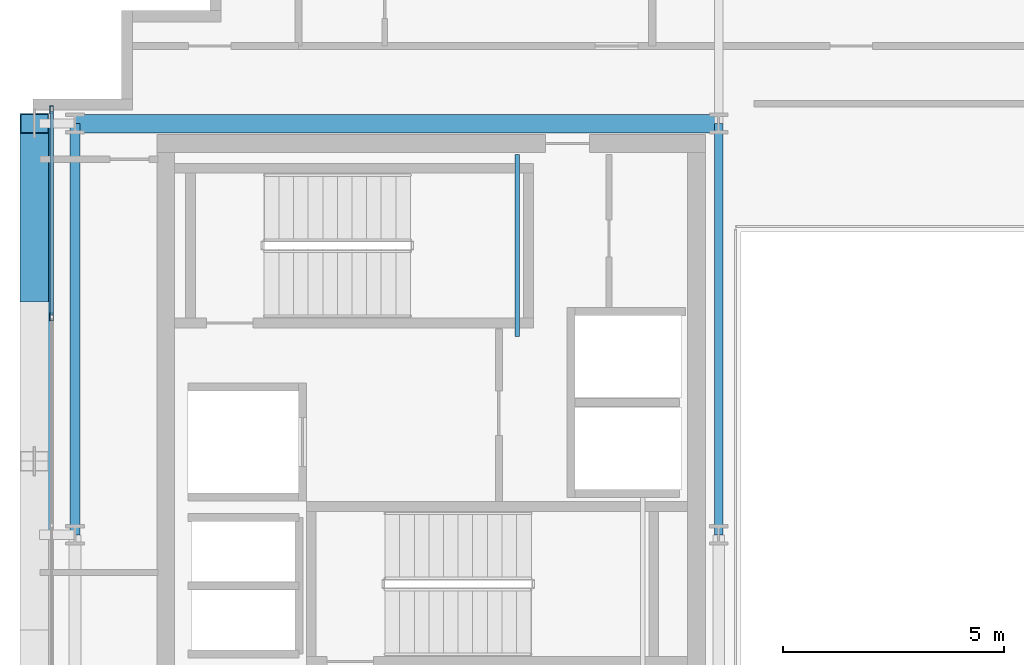
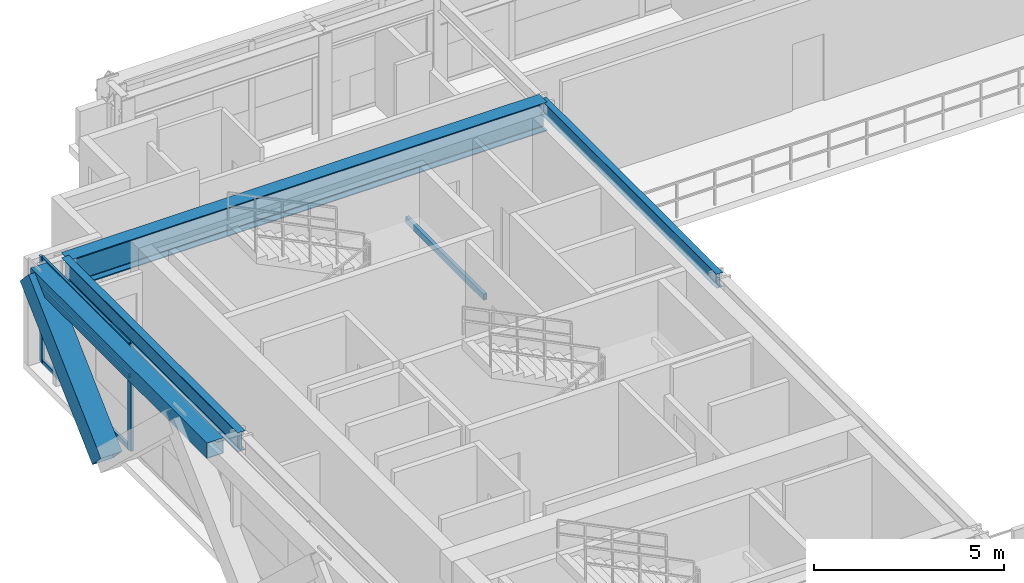
# One storey, part 7 of 27: 6 members, 5 beams, 1 element without a shape of its own.
"""IFC4 building model written with IfcOpenShell, lengths in metres."""

import ifcopenshell
import ifcopenshell.guid

model = None  # the IFC model being written
_history = None  # IfcOwnerHistory: only IFC2X3 demands one
_inside = {}  # id of a spatial element -> (the spatial element, [elements in it])
_under = {}  # id of a project, library or spatial element -> (it, [spatial elements below it])
_declared = {}  # id of a project -> (the project, [libraries it declares])
_typed = {}  # id of a type object -> (the type object, [elements of that type])
_made_of = {}  # id of a material, layer set ... -> (it, [elements and type objects made of it])


def new_model(schema):
    """Start an empty IFC model of exactly this schema.

    Asked for "IFC4X3", IfcOpenShell would pick the latest addendum, in which some entities
    have other attributes; the version numbers below select the first issue.
    IFC2X3 requires an IfcOwnerHistory on every rooted entity: one is made here for all.
    """
    global model, _history
    if schema == "IFC4X3":
        model = ifcopenshell.file(schema_version=(4, 3, 0, 0))
    else:
        model = ifcopenshell.file(schema=schema)
    _inside.clear()
    _under.clear()
    _declared.clear()
    _typed.clear()
    _made_of.clear()
    _history = None
    if model.schema == "IFC2X3":
        org = make("IfcOrganization", Name="unknown")
        user = make(
            "IfcPersonAndOrganization",
            ThePerson=make("IfcPerson", FamilyName="unknown"),
            TheOrganization=org,
        )
        app = make(
            "IfcApplication",
            ApplicationDeveloper=org,
            Version="unknown",
            ApplicationFullName="unknown",
            ApplicationIdentifier="unknown",
        )
        _history = make(
            "IfcOwnerHistory",
            OwningUser=user,
            OwningApplication=app,
            ChangeAction="ADDED",
            CreationDate=0,
        )
    return model


def make(cls, **values):
    """One entity of the class cls with the attributes given. An attribute that is None is left unset."""
    return model.create_entity(
        cls, **{name: value for name, value in values.items() if value is not None}
    )


def rooted(cls, **values):
    """An entity with a GlobalId (a new one), such as an element, a storey or a relation."""
    return make(cls, GlobalId=ifcopenshell.guid.new(), OwnerHistory=_history, **values)


def si_unit(unit_type, name, prefix=None):
    """IfcSIUnit, for example si_unit("LENGTHUNIT", "METRE", prefix="MILLI")."""
    return make("IfcSIUnit", UnitType=unit_type, Prefix=prefix, Name=name)


def assignment(units):
    """IfcUnitAssignment: the units of a project."""
    return None if units is None else make("IfcUnitAssignment", Units=units)


def point(xyz):
    """IfcCartesianPoint."""
    return None if xyz is None else make("IfcCartesianPoint", Coordinates=xyz)


def direction(xyz):
    """IfcDirection."""
    return None if xyz is None else make("IfcDirection", DirectionRatios=xyz)


def frame(location, z_axis=None, x_axis=None):
    """IfcAxis2Placement3D, a coordinate frame: its origin and axes. An axis left out is left unset."""
    return make(
        "IfcAxis2Placement3D",
        Location=point(location),
        Axis=direction(z_axis),
        RefDirection=direction(x_axis),
    )


def frame_2d(location, x_axis=None):
    """IfcAxis2Placement2D, a coordinate frame in the plane: its origin and x axis."""
    return make(
        "IfcAxis2Placement2D", Location=point(location), RefDirection=direction(x_axis)
    )


def origin():
    """The frame at (0, 0, 0) with its axes left unset."""
    return frame((0.0, 0.0, 0.0))


def origin_2d():
    """The frame at (0, 0) in the plane with its x axis left unset."""
    return frame_2d((0.0, 0.0))


def place(relative_to, where):
    """IfcLocalPlacement: puts the frame where relative to a parent placement (None: the world)."""
    return make(
        "IfcLocalPlacement", PlacementRelTo=relative_to, RelativePlacement=where
    )


def context(
    kind, dimensions, precision=None, world=None, true_north=None, identifier=None
):
    """IfcGeometricRepresentationContext, for example the 3D "Model" context."""
    return make(
        "IfcGeometricRepresentationContext",
        ContextIdentifier=identifier,
        ContextType=kind,
        CoordinateSpaceDimension=dimensions,
        Precision=precision,
        WorldCoordinateSystem=world,
        TrueNorth=true_north,
    )


def subcontext(parent, identifier, kind, view, scale=None):
    """IfcGeometricRepresentationSubContext, for example "Body" below "Model"."""
    return make(
        "IfcGeometricRepresentationSubContext",
        ContextIdentifier=identifier,
        ContextType=kind,
        ParentContext=parent,
        TargetScale=scale,
        TargetView=view,
    )


def project(units=None, contexts=None):
    """IfcProject with its units and contexts."""
    return rooted(
        "IfcProject",
        Name="project",
        RepresentationContexts=contexts,
        UnitsInContext=assignment(units),
    )


def spatial(cls, under=None, at=None, **own):
    """A site, building, storey or space (cls), placed at a placement, below another one or the project."""
    s = rooted(cls, ObjectPlacement=at, **own)
    if under is not None:
        _under.setdefault(under.id(), (under, []))[1].append(s)
    return s


def profile(cls, at=None, kind="AREA", **sizes):
    """A parametric profile (cls). Its sizes go by their IFC names, for example OverallWidth=200.0."""
    return make(cls, ProfileType=kind, Position=at, **sizes)


def hollow_rectangle(**sizes):
    """IfcRectangleHollowProfileDef."""
    return profile("IfcRectangleHollowProfileDef", **sizes)


def i_section(**sizes):
    """IfcIShapeProfileDef."""
    return profile("IfcIShapeProfileDef", **sizes)


def extrude(swept, where, along, depth):
    """IfcExtrudedAreaSolid: the profile swept, set in the frame where, extruded along a direction by depth."""
    return make(
        "IfcExtrudedAreaSolid",
        SweptArea=swept,
        Position=where,
        ExtrudedDirection=direction(along),
        Depth=depth,
    )


def shape(context_of_items, identifier, shape_type, items):
    """IfcShapeRepresentation: the items that make up one representation, for example the "Body"."""
    return make(
        "IfcShapeRepresentation",
        ContextOfItems=context_of_items,
        RepresentationIdentifier=identifier,
        RepresentationType=shape_type,
        Items=items,
    )


def source(mapping_origin, context_of_items, identifier, shape_type, items):
    """IfcRepresentationMap: a shape defined once, which mapped items show again and again."""
    return make(
        "IfcRepresentationMap",
        MappingOrigin=mapping_origin,
        MappedRepresentation=shape(context_of_items, identifier, shape_type, items),
    )


def transform(
    local_origin,
    x_axis=None,
    y_axis=None,
    z_axis=None,
    scale=None,
    scale2=None,
    scale3=None,
    uniform=True,
):
    """IfcCartesianTransformationOperator3D, or its non-uniform kind. x_axis, y_axis, z_axis: its Axis1, 2, 3."""
    if uniform:
        return make(
            "IfcCartesianTransformationOperator3D",
            Axis1=direction(x_axis),
            Axis2=direction(y_axis),
            LocalOrigin=point(local_origin),
            Scale=scale,
            Axis3=direction(z_axis),
        )
    return make(
        "IfcCartesianTransformationOperator3DnonUniform",
        Axis1=direction(x_axis),
        Axis2=direction(y_axis),
        LocalOrigin=point(local_origin),
        Scale=scale,
        Axis3=direction(z_axis),
        Scale2=scale2,
        Scale3=scale3,
    )


def mapped(mapping_source, mapping_target):
    """IfcMappedItem: shows the shape of a source again, moved by a transform."""
    return make(
        "IfcMappedItem", MappingSource=mapping_source, MappingTarget=mapping_target
    )


def material(Name=None, Category=None):
    """IfcMaterial."""
    return make("IfcMaterial", Name=Name, Category=Category)


def layer(
    of_material, thickness, ventilated=None, Name=None, Category=None, Priority=None
):
    """IfcMaterialLayer: one layer of a wall or slab, of a material (None: an air gap)."""
    return make(
        "IfcMaterialLayer",
        Material=of_material,
        LayerThickness=thickness,
        IsVentilated=ventilated,
        Name=Name,
        Category=Category,
        Priority=Priority,
    )


def layer_set(layers, Name=None):
    """IfcMaterialLayerSet."""
    return make("IfcMaterialLayerSet", MaterialLayers=layers, LayerSetName=Name)


def material_profile(
    of_material, cross_section, Name=None, Category=None, Priority=None
):
    """IfcMaterialProfile: a cross section and its material."""
    return make(
        "IfcMaterialProfile",
        Name=Name,
        Material=of_material,
        Profile=cross_section,
        Priority=Priority,
        Category=Category,
    )


def profile_set(profiles, Name=None, composite=None):
    """IfcMaterialProfileSet."""
    return make(
        "IfcMaterialProfileSet",
        Name=Name,
        MaterialProfiles=profiles,
        CompositeProfile=composite,
    )


def made_of(thing, what):
    """Note that an element or type object is made of a material, layer set ...; save() writes the relation."""
    if what is not None:
        _made_of.setdefault(what.id(), (what, []))[1].append(thing)
    return thing


def type_object(cls, material=None, **own):
    """A type object (cls), such as IfcWallType, which elements share."""
    return made_of(rooted(cls, **own), material)


def element(
    cls,
    number,
    at=None,
    inside=None,
    cuts=None,
    type_object=None,
    material=None,
    context=None,
    identifier="Body",
    shape_type=None,
    held_by="IfcProductDefinitionShape",
    body=None,
    shapes=None,
    **own,
):
    """One element of the class cls, such as IfcWall. Its Tag is "e" and its number.

    at: its placement. inside: the storey or other place that contains it. cuts: it is an
    opening in that element (IfcRelVoidsElement). A single representation is given by context,
    identifier, shape_type and body (its items); several are given by shapes. held_by: the class
    of the entity that holds the representations. save() writes the other relations.
    """
    e = rooted(cls, Tag="e%d" % number, ObjectPlacement=at, **own)
    if body is not None:
        shapes = [shape(context, identifier, shape_type, body)]
    if shapes is not None:
        e.Representation = make(held_by, Representations=shapes)
    if inside is not None:
        _inside.setdefault(inside.id(), (inside, []))[1].append(e)
    if cuts is not None:
        rooted(
            "IfcRelVoidsElement", RelatingBuildingElement=cuts, RelatedOpeningElement=e
        )
    if type_object is not None:
        _typed.setdefault(type_object.id(), (type_object, []))[1].append(e)
    return made_of(e, material)


def aggregate(whole, parts):
    """IfcRelAggregates: a whole, such as a stair, and the parts it consists of."""
    return rooted("IfcRelAggregates", RelatingObject=whole, RelatedObjects=parts)


def save(model, path):
    """Write the relations noted so far, then the file.

    IfcRelAggregates (storeys below a building ...), IfcRelContainedInSpatialStructure (elements
    in a storey), IfcRelDefinesByType, IfcRelAssociatesMaterial and IfcRelDeclares: one each for
    every whole, place, type object, material and project.
    """
    for whole, parts in _under.values():
        aggregate(whole, parts)
    for where, things in _inside.values():
        rooted(
            "IfcRelContainedInSpatialStructure",
            RelatedElements=things,
            RelatingStructure=where,
        )
    for kind, things in _typed.values():
        rooted("IfcRelDefinesByType", RelatedObjects=things, RelatingType=kind)
    for what, things in _made_of.values():
        rooted("IfcRelAssociatesMaterial", RelatedObjects=things, RelatingMaterial=what)
    for by, libraries in _declared.values():
        rooted("IfcRelDeclares", RelatingContext=by, RelatedDefinitions=libraries)
    model.write(path)


model = new_model("IFC4")

# Units and contexts
model_context = context("Model", 3, precision=1e-05, world=origin(), true_north=direction((0.0, 1.0)))
body_context = subcontext(model_context, "Body", "Model", "MODEL_VIEW")
ifc_project = project(units=[si_unit("LENGTHUNIT", "METRE"), si_unit("AREAUNIT", "SQUARE_METRE"), si_unit("VOLUMEUNIT", "CUBIC_METRE"), si_unit("PLANEANGLEUNIT", "RADIAN"), si_unit("MASSUNIT", "GRAM", prefix="KILO")], contexts=[model_context])

# Site, building, storey
site_placement = place(None, origin())
site = spatial("IfcSite", under=ifc_project, at=site_placement, CompositionType="ELEMENT")
building_placement = place(site_placement, origin())
building = spatial("IfcBuilding", under=site, at=building_placement, Name="Ocotamira Hotel", CompositionType="ELEMENT")
storey_placement = place(building_placement, frame((0.0, 0.0, 232.800048828125)))
storey = spatial("IfcBuildingStorey", under=building, at=storey_placement, Name="L58", CompositionType="ELEMENT", Elevation=232.800048828125)

# Beams
ifc_material_1 = material(Name="Steel ASTM A500 Grade C", Category="steel")
ifc_material_profile_1 = material_profile(ifc_material_1, hollow_rectangle(XDim=0.10009765625, YDim=0.199951171875, WallThickness=0.008056640625, at=origin_2d()), Name="HSS200X100X8")
ifc_profile_set_1 = profile_set([ifc_material_profile_1], Name="Steel ASTM A500 Grade C")
beam_type_1 = type_object("IfcBeamType", Name="BM-STLDG-HSS200", PredefinedType="BEAM", material=ifc_profile_set_1)
shared_shape_1 = source(origin(), body_context, "Body", "SweptSolid", [
    extrude(hollow_rectangle(XDim=0.10009765625, YDim=0.199951171875, WallThickness=0.008056640625, at=origin_2d()), origin(), (0.0, 0.0, 1.0), 4.1201171875),
])
beam_1_placement = place(storey_placement, frame((18.949951171875, 32.6298828125, 1.5), z_axis=(0.0, 1.0, 0.0), x_axis=(-1.0, 0.0, 0.0)))
element("IfcBeam", 1, at=beam_1_placement, inside=storey, type_object=beam_type_1, Name="L58 Stair ST-2 Landing Bearer 1", PredefinedType="BEAM", context=body_context, shape_type="MappedRepresentation", body=[
    mapped(shared_shape_1, transform((0.0, 0.0, 0.0), scale=1.0)),
])
ifc_material_2 = material(Name="Steel ASTM A992 Grade 50", Category="steel")
ifc_material_profile_2 = material_profile(ifc_material_2, i_section(OverallWidth=0.41796875, OverallDepth=0.927001953125, WebThickness=0.019287109375, FlangeThickness=0.031982421875, FilletRadius=0.02392578125, at=origin_2d()), Name="W36X231")
ifc_profile_set_2 = profile_set([ifc_material_profile_2], Name="Steel ASTM A992 Grade 50")
beam_type_2 = type_object("IfcBeamType", Name="BM-GIRD-W36X231", PredefinedType="BEAM", material=ifc_profile_set_2)
shared_shape_2 = source(origin(), body_context, "Body", "SweptSolid", [
    extrude(i_section(OverallWidth=0.41796875, OverallDepth=0.927001953125, WebThickness=0.019287109375, FlangeThickness=0.031982421875, FilletRadius=0.02392578125, at=origin_2d()), origin(), (0.0, 0.0, 1.0), 14.550048828125),
])
beam_2_placement = place(storey_placement, frame((8.949951171875, 37.449951171875, 2.91650390625), z_axis=(1.0, 0.0, 0.0), x_axis=(0.0, 1.0, 0.0)))
element("IfcBeam", 2, at=beam_2_placement, inside=storey, type_object=beam_type_2, Name="L58 Girder Y37.45 X8.95-23.5", PredefinedType="BEAM", context=body_context, shape_type="MappedRepresentation", body=[
    mapped(shared_shape_2, transform((0.0, 0.0, 0.0), scale=1.0)),
])
ifc_material_profile_3 = material_profile(ifc_material_2, i_section(OverallWidth=0.22998046875, OverallDepth=0.616943359375, WebThickness=0.01318359375, FlangeThickness=0.022216796875, FilletRadius=0.012939453125, at=origin_2d()), Name="W24X94")
ifc_profile_set_3 = profile_set([ifc_material_profile_3], Name="Steel ASTM A992 Grade 50")
beam_type_3 = type_object("IfcBeamType", Name="BM-PRIM-W24X94", PredefinedType="BEAM", material=ifc_profile_set_3)
shared_shape_3 = source(origin(), body_context, "Body", "SweptSolid", [
    extrude(i_section(OverallWidth=0.22998046875, OverallDepth=0.616943359375, WebThickness=0.01318359375, FlangeThickness=0.022216796875, FilletRadius=0.012939453125, at=origin_2d()), origin(), (0.0, 0.0, 1.0), 9.300048828125),
])
beam_3_placement = place(storey_placement, frame((8.949951171875, 28.14990234375, 3.071533203125), z_axis=(0.0, 1.0, 0.0), x_axis=(-1.0, 0.0, 0.0)))
element("IfcBeam", 3, at=beam_3_placement, inside=storey, type_object=beam_type_3, Name="L58 Beam X8.95 Y28.15-37.45", PredefinedType="BEAM", context=body_context, shape_type="MappedRepresentation", body=[
    mapped(shared_shape_3, transform((0.0, 0.0, 0.0), scale=1.0)),
])
ifc_material_profile_4 = material_profile(ifc_material_2, i_section(OverallWidth=0.18994140625, OverallDepth=0.45703125, WebThickness=0.009033203125, FlangeThickness=0.014404296875, FilletRadius=0.010009765625, at=origin_2d()), Name="W18X50")
ifc_profile_set_4 = profile_set([ifc_material_profile_4], Name="Steel ASTM A992 Grade 50")
beam_type_4 = type_object("IfcBeamType", Name="BM-SEC-W18X50", PredefinedType="JOIST", material=ifc_profile_set_4)
shared_shape_4 = source(origin(), body_context, "Body", "SweptSolid", [
    extrude(i_section(OverallWidth=0.18994140625, OverallDepth=0.45703125, WebThickness=0.009033203125, FlangeThickness=0.014404296875, FilletRadius=0.010009765625, at=origin_2d()), origin(), (0.0, 0.0, 1.0), 9.300048828125),
])
beam_4_placement = place(storey_placement, frame((23.5, 28.14990234375, 3.1513671875), z_axis=(0.0, 1.0, 0.0), x_axis=(-1.0, 0.0, 0.0)))
element("IfcBeam", 4, at=beam_4_placement, inside=storey, type_object=beam_type_4, Name="L58 Beam X23.5 Y28.15-37.45", PredefinedType="JOIST", context=body_context, shape_type="MappedRepresentation", body=[
    mapped(shared_shape_4, transform((0.0, 0.0, 0.0), scale=1.0)),
])
ifc_material_profile_5 = material_profile(ifc_material_1, hollow_rectangle(XDim=0.5, YDim=0.5, WallThickness=0.02001953125, at=origin_2d()), Name="HSS500X500X20")
ifc_profile_set_5 = profile_set([ifc_material_profile_5], Name="Steel ASTM A500 Grade C")
beam_type_5 = type_object("IfcBeamType", Name="BM-SPAN-HSS500", PredefinedType="USERDEFINED", material=ifc_profile_set_5)
shared_shape_5 = source(origin(), body_context, "Body", "SweptSolid", [
    extrude(hollow_rectangle(XDim=0.5, YDim=0.5, WallThickness=0.02001953125, at=origin_2d()), origin(), (0.0, 0.0, 1.0), 9.300048828125),
])
beam_5_placement = place(storey_placement, frame((8.14990234375, 28.14990234375, 3.1298828125), z_axis=(0.0, 1.0, 0.0), x_axis=(-1.0, 0.0, 0.0)))
element("IfcBeam", 5, at=beam_5_placement, inside=storey, type_object=beam_type_5, Name="L58 Edge Spandrel W Y28.15-37.45", ObjectType="SPANDREL", PredefinedType="USERDEFINED", context=body_context, shape_type="MappedRepresentation", body=[
    mapped(shared_shape_5, transform((0.0, 0.0, 0.0), scale=1.0)),
])

# Member
ifc_material_3 = material(Name="Pale-metal coated steel ASTM A913 Grade 65", Category="steel")
ifc_material_profile_6 = material_profile(ifc_material_3, hollow_rectangle(XDim=0.64990234375, YDim=0.64990234375, WallThickness=0.02197265625, at=origin_2d()), Name="BOX650X650X22")
ifc_profile_set_6 = profile_set([ifc_material_profile_6], Name="Pale-metal coated steel ASTM A913 Grade 65")
member_type_1 = type_object("IfcMemberType", Name="MEM-EXO-BOX650", PredefinedType="BRACE", material=ifc_profile_set_6)
shared_shape_6 = source(origin(), body_context, "Body", "SweptSolid", [
    extrude(hollow_rectangle(XDim=0.64990234375, YDim=0.64990234375, WallThickness=0.02197265625, at=origin_2d()), origin(), (0.0, 0.0, 1.0), 5.24658203125),
])
member_1_placement = place(storey_placement, frame((8.030029296875, 33.63330078125, -0.469970703125), z_axis=(0.0, 0.72746596067, 0.686143772154), x_axis=(-1.0, 0.0, 0.0)))
element("IfcMember", 6, at=member_1_placement, inside=storey, type_object=member_type_1, Name="L58 Exoskeleton Diagrid W2.2", PredefinedType="BRACE", context=body_context, shape_type="MappedRepresentation", body=[
    mapped(shared_shape_6, transform((0.0, 0.0, 0.0), scale=1.0)),
])

# Curtain wall, members
ifc_material_4 = material(Name="Anodised pale-metal aluminium and solar glass", Category="aluminium")
ifc_layer = layer(ifc_material_4, 0.239990234375)
ifc_layer_set = layer_set([ifc_layer], Name="Anodised pale-metal aluminium and solar glass")
curtain_wall_type = type_object("IfcCurtainWallType", Name="CW-SYS5-SKY", PredefinedType="NOTDEFINED", material=ifc_layer_set)
curtain_wall_placement = place(storey_placement, origin())
curtain_wall = element("IfcCurtainWall", 7, at=curtain_wall_placement, inside=storey, type_object=curtain_wall_type, Name="L58 Curtain Wall CW-5 CW-L58-W", PredefinedType="NOTDEFINED")
ifc_material_5 = material(Name="Anodised pale-metal aluminium 6063-T6", Category="aluminium")
ifc_material_profile_7 = material_profile(ifc_material_5, hollow_rectangle(XDim=0.080078125, YDim=0.179931640625, WallThickness=0.006103515625, at=origin_2d()), Name="HSS180X80X6")
ifc_profile_set_7 = profile_set([ifc_material_profile_7], Name="Anodised pale-metal aluminium 6063-T6")
member_type_2 = type_object("IfcMemberType", Name="CWM-180X75", PredefinedType="MULLION", material=ifc_profile_set_7)
shared_shape_7 = source(origin(), body_context, "Body", "SweptSolid", [
    extrude(hollow_rectangle(XDim=0.080078125, YDim=0.179931640625, WallThickness=0.006103515625, at=origin_2d()), origin(), (0.0, 0.0, 1.0), 3.3798828125),
])
member_2_placement = place(storey_placement, frame((8.419921875, 33.080078125, 0.0), z_axis=(0.0, 0.0, 1.0), x_axis=(-1.0, 0.0, 0.0)))
member_2 = element("IfcMember", 8, at=member_2_placement, type_object=member_type_2, Name="CW-5 mullion 5", PredefinedType="MULLION", context=body_context, shape_type="MappedRepresentation", body=[
    mapped(shared_shape_7, transform((0.0, 0.0, 0.0), scale=1.0)),
])
member_3_placement = place(storey_placement, frame((8.419921875, 37.760009765625, 0.0), z_axis=(0.0, 0.0, 1.0), x_axis=(-1.0, 0.0, 0.0)))
member_3 = element("IfcMember", 9, at=member_3_placement, type_object=member_type_2, Name="CW-5 mullion 6", PredefinedType="MULLION", context=body_context, shape_type="MappedRepresentation", body=[
    mapped(shared_shape_7, transform((0.0, 0.0, 0.0), scale=1.0)),
])
ifc_material_profile_8 = material_profile(ifc_material_5, hollow_rectangle(XDim=0.074951171875, YDim=0.14990234375, WallThickness=0.006103515625, at=origin_2d()), Name="HSS150X75X6")
ifc_profile_set_8 = profile_set([ifc_material_profile_8], Name="Anodised pale-metal aluminium 6063-T6")
member_type_3 = type_object("IfcMemberType", Name="CWT-150X75", PredefinedType="USERDEFINED", material=ifc_profile_set_8)
shared_shape_8 = source(origin(), body_context, "Body", "SweptSolid", [
    extrude(hollow_rectangle(XDim=0.074951171875, YDim=0.14990234375, WallThickness=0.006103515625, at=origin_2d()), origin(), (0.0, 0.0, 1.0), 4.599853515625),
])
member_4_placement = place(storey_placement, frame((8.419921875, 33.1201171875, 0.037353515625), z_axis=(0.0, 1.0, 0.0), x_axis=(-1.0, 0.0, 0.0)))
member_4 = element("IfcMember", 10, at=member_4_placement, type_object=member_type_3, Name="CW-5 transom 5.1", ObjectType="TRANSOM", PredefinedType="USERDEFINED", context=body_context, shape_type="MappedRepresentation", body=[
    mapped(shared_shape_8, transform((0.0, 0.0, 0.0), scale=1.0)),
])
member_5_placement = place(storey_placement, frame((8.419921875, 33.1201171875, 2.349853515625), z_axis=(0.0, 1.0, 0.0), x_axis=(-1.0, 0.0, 0.0)))
member_5 = element("IfcMember", 11, at=member_5_placement, type_object=member_type_3, Name="CW-5 transom 5.2", ObjectType="TRANSOM", PredefinedType="USERDEFINED", context=body_context, shape_type="MappedRepresentation", body=[
    mapped(shared_shape_8, transform((0.0, 0.0, 0.0), scale=1.0)),
])
member_6_placement = place(storey_placement, frame((8.419921875, 33.1201171875, 3.342529296875), z_axis=(0.0, 1.0, 0.0), x_axis=(-1.0, 0.0, 0.0)))
member_6 = element("IfcMember", 12, at=member_6_placement, type_object=member_type_3, Name="CW-5 transom 5.3", ObjectType="TRANSOM", PredefinedType="USERDEFINED", context=body_context, shape_type="MappedRepresentation", body=[
    mapped(shared_shape_8, transform((0.0, 0.0, 0.0), scale=1.0)),
])
aggregate(curtain_wall, [member_2, member_3, member_4, member_5, member_6])

save(model, "model.ifc")
